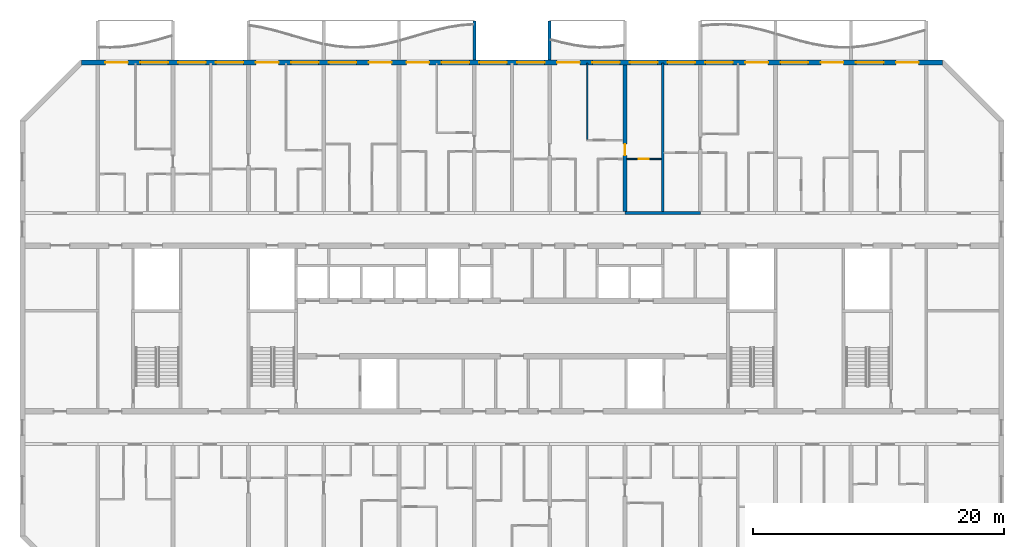
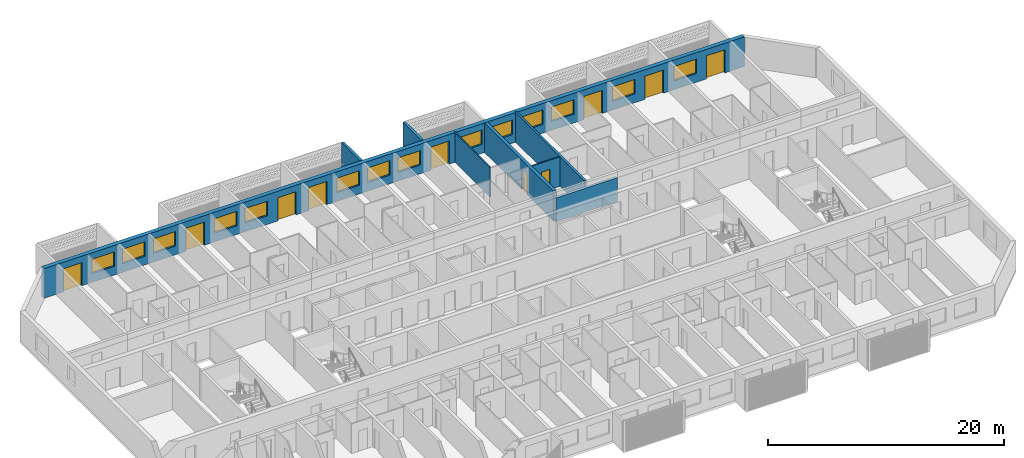
# One storey, part 11 of 33: 14 windows, 10 doors, 8 walls, 24 openings.
"""IFC4 building model written with IfcOpenShell, lengths in metres."""

from ifc_helpers import new_model, si_unit, direction, frame, frame_2d, origin, place, context, subcontext, project, spatial, polyline, rectangle, outline, extrude, source, transform, mapped, material, layer, layer_set, type_object, element, fill, save


model = new_model("IFC4")

# Units and contexts
model_context = context("Model", 3, precision=1e-05, world=origin(), true_north=direction((0.0, 1.0)))
body_context = subcontext(model_context, "Body", "Model", "MODEL_VIEW")
ifc_project = project(units=[si_unit("LENGTHUNIT", "METRE"), si_unit("AREAUNIT", "SQUARE_METRE"), si_unit("VOLUMEUNIT", "CUBIC_METRE"), si_unit("PLANEANGLEUNIT", "RADIAN"), si_unit("MASSUNIT", "GRAM", prefix="KILO")], contexts=[model_context])

# Site, building, storey
site_placement = place(None, origin())
site = spatial("IfcSite", under=ifc_project, at=site_placement, CompositionType="ELEMENT")
building_placement = place(site_placement, origin())
building = spatial("IfcBuilding", under=site, at=building_placement, Name="Poui Terraces", CompositionType="ELEMENT")
storey_placement = place(building_placement, frame((0.0, 0.0, 135.60009765625)))
storey = spatial("IfcBuildingStorey", under=building, at=storey_placement, Name="L37", CompositionType="ELEMENT", Elevation=135.60009765625)

# Wall
ifc_material_1 = material(Name="Concrete 65 MPa", Category="concrete")
ifc_layer_1 = layer(ifc_material_1, 0.25)
ifc_layer_set_1 = layer_set([ifc_layer_1], Name="Concrete 65 MPa")
wall_type_1 = type_object("IfcWallType", Name="CORRIDOR WALL 250 65MPa", PredefinedType="SHEAR", material=ifc_layer_set_1)
wall_1_placement = place(storey_placement, frame((60.0, 30.39990234375, 0.0), z_axis=(0.0, 0.0, 1.0), x_axis=(1.0, 0.0, 0.0)))
element("IfcWall", 1, at=wall_1_placement, inside=storey, type_object=wall_type_1, Name="CORRIDOR WALL LINE E BAY 9", PredefinedType="SHEAR", context=body_context, shape_type="SweptSolid", body=[
    extrude(rectangle(XDim=6.0, YDim=0.25, at=frame_2d((3.0, 0.0))), origin(), (0.0, 0.0, 1.0), 2.469970703125),
])

# Wall, opening, door
ifc_layer_2 = layer(ifc_material_1, 0.300048828125)
ifc_layer_set_2 = layer_set([ifc_layer_2], Name="Concrete 65 MPa")
wall_type_2 = type_object("IfcWallType", Name="CROSS WALL 300 65MPa", PredefinedType="SHEAR", material=ifc_layer_set_2)
wall_2_placement = place(storey_placement, frame((60.0, 30.52490234375, 0.0), z_axis=(0.0, 0.0, 1.0), x_axis=(0.0, 1.0, 0.0)))
wall_2 = element("IfcWall", 2, at=wall_2_placement, inside=storey, type_object=wall_type_2, Name="CROSS WALL LINE 11 NORTH", PredefinedType="SHEAR", context=body_context, shape_type="SweptSolid", body=[
    extrude(rectangle(XDim=11.675048828125, YDim=0.300048828125, at=frame_2d((5.83740234375, 0.0))), origin(), (0.0, 0.0, 1.0), 3.06982421875),
])
opening_1_placement = place(wall_2_placement, frame((4.47509765625, 0.0, 0.0)))
opening_1 = element("IfcOpeningElement", 3, at=opening_1_placement, cuts=wall_2, Name="Opening D90", PredefinedType="OPENING", context=body_context, shape_type="SweptSolid", body=[
    extrude(rectangle(XDim=0.89990234375, YDim=2.10009765625, at=frame_2d((0.449951171875, 1.050048828125))), frame((0.0, 0.16015625, 0.0), z_axis=(0.0, -1.0, 0.0), x_axis=(1.0, 0.0, 0.0)), (0.0, 0.0, 1.0), 0.320068359375),
])
ifc_material_2 = material(Name="Solid core timber door", Category="wood")
door_type_1 = type_object("IfcDoorType", Name="INTERNAL DOOR 900 X 2100", OperationType="NOTDEFINED", PredefinedType="DOOR", material=ifc_material_2)
door_1_placement = place(opening_1_placement, frame((0.89990234375, 0.0, 0.0), z_axis=(0.0, 0.0, 1.0), x_axis=(-1.0, 0.0, 0.0)))
door_1 = element("IfcDoor", 4, at=door_1_placement, inside=storey, type_object=door_type_1, Name="INTERNAL DOOR 060", OperationType="SINGLE_SWING_RIGHT", OverallHeight=2.10009765625, OverallWidth=0.89990234375, PredefinedType="DOOR", context=body_context, shape_type="SweptSolid", body=[
    extrude(rectangle(XDim=0.89990234375, YDim=2.10009765625, at=frame_2d((0.449951171875, 1.050048828125))), frame((0.0, 0.02490234375, 0.0), z_axis=(0.0, -1.0, 0.0), x_axis=(1.0, 0.0, 0.0)), (0.0, 0.0, 1.0), 0.050048828125),
])
fill(opening_1, door_1)

# Wall, openings, doors, windows
ifc_material_3 = material(Name="Precast concrete 40 MPa", Category="concrete")
ifc_layer_3 = layer(ifc_material_3, 0.39990234375)
ifc_layer_set_3 = layer_set([ifc_layer_3], Name="Precast concrete 40 MPa")
wall_type_3 = type_object("IfcWallType", Name="EXTERNAL WALL 400", PredefinedType="STANDARD", material=ifc_layer_set_3)
wall_3_placement = place(storey_placement, frame((85.317138671875, 42.39990234375, 0.0), z_axis=(0.0, 0.0, 1.0), x_axis=(-1.0, 0.0, 0.0)))
wall_3 = element("IfcWall", 5, at=wall_3_placement, inside=storey, type_object=wall_type_3, Name="EXTERNAL WALL N", PredefinedType="STANDARD", context=body_context, shape_type="SweptSolid", body=[
    extrude(rectangle(XDim=68.63427734375, YDim=0.39990234375, at=frame_2d((34.317138671875, 0.0))), origin(), (0.0, 0.0, 1.0), 3.06982421875),
])
opening_2_placement = place(wall_3_placement, frame((64.917236328125, 0.0, 0.0)))
opening_2 = element("IfcOpeningElement", 6, at=opening_2_placement, cuts=wall_3, Name="Opening BD1", PredefinedType="OPENING", context=body_context, shape_type="SweptSolid", body=[
    extrude(rectangle(XDim=1.800048828125, YDim=2.39990234375, at=frame_2d((0.89990234375, 1.199951171875))), frame((0.0, 0.2099609375, 0.0), z_axis=(0.0, -1.0, 0.0), x_axis=(1.0, 0.0, 0.0)), (0.0, 0.0, 1.0), 0.419921875),
])
opening_3_placement = place(wall_3_placement, frame((61.71728515625, 0.0, 0.89990234375)))
opening_3 = element("IfcOpeningElement", 7, at=opening_3_placement, cuts=wall_3, Name="Opening W1", PredefinedType="OPENING", context=body_context, shape_type="SweptSolid", body=[
    extrude(rectangle(XDim=2.199951171875, YDim=1.5, at=frame_2d((1.10009765625, 0.75))), frame((0.0, 0.2099609375, 0.0), z_axis=(0.0, -1.0, 0.0), x_axis=(1.0, 0.0, 0.0)), (0.0, 0.0, 1.0), 0.419921875),
])
opening_4_placement = place(wall_3_placement, frame((58.71728515625, 0.0, 0.89990234375)))
opening_4 = element("IfcOpeningElement", 8, at=opening_4_placement, cuts=wall_3, Name="Opening W1", PredefinedType="OPENING", context=body_context, shape_type="SweptSolid", body=[
    extrude(rectangle(XDim=2.199951171875, YDim=1.5, at=frame_2d((1.10009765625, 0.75))), frame((0.0, 0.2099609375, 0.0), z_axis=(0.0, -1.0, 0.0), x_axis=(1.0, 0.0, 0.0)), (0.0, 0.0, 1.0), 0.419921875),
])
opening_5_placement = place(wall_3_placement, frame((55.71728515625, 0.0, 0.89990234375)))
opening_5 = element("IfcOpeningElement", 9, at=opening_5_placement, cuts=wall_3, Name="Opening W1", PredefinedType="OPENING", context=body_context, shape_type="SweptSolid", body=[
    extrude(rectangle(XDim=2.199951171875, YDim=1.5, at=frame_2d((1.10009765625, 0.75))), frame((0.0, 0.2099609375, 0.0), z_axis=(0.0, -1.0, 0.0), x_axis=(1.0, 0.0, 0.0)), (0.0, 0.0, 1.0), 0.419921875),
])
opening_6_placement = place(wall_3_placement, frame((52.917236328125, 0.0, 0.0)))
opening_6 = element("IfcOpeningElement", 10, at=opening_6_placement, cuts=wall_3, Name="Opening BD1", PredefinedType="OPENING", context=body_context, shape_type="SweptSolid", body=[
    extrude(rectangle(XDim=1.800048828125, YDim=2.39990234375, at=frame_2d((0.89990234375, 1.199951171875))), frame((0.0, 0.2099609375, 0.0), z_axis=(0.0, -1.0, 0.0), x_axis=(1.0, 0.0, 0.0)), (0.0, 0.0, 1.0), 0.419921875),
])
opening_7_placement = place(wall_3_placement, frame((49.71728515625, 0.0, 0.89990234375)))
opening_7 = element("IfcOpeningElement", 11, at=opening_7_placement, cuts=wall_3, Name="Opening W1", PredefinedType="OPENING", context=body_context, shape_type="SweptSolid", body=[
    extrude(rectangle(XDim=2.199951171875, YDim=1.5, at=frame_2d((1.10009765625, 0.75))), frame((0.0, 0.2099609375, 0.0), z_axis=(0.0, -1.0, 0.0), x_axis=(1.0, 0.0, 0.0)), (0.0, 0.0, 1.0), 0.419921875),
])
opening_8_placement = place(wall_3_placement, frame((46.71728515625, 0.0, 0.89990234375)))
opening_8 = element("IfcOpeningElement", 12, at=opening_8_placement, cuts=wall_3, Name="Opening W1", PredefinedType="OPENING", context=body_context, shape_type="SweptSolid", body=[
    extrude(rectangle(XDim=2.199951171875, YDim=1.5, at=frame_2d((1.10009765625, 0.75))), frame((0.0, 0.2099609375, 0.0), z_axis=(0.0, -1.0, 0.0), x_axis=(1.0, 0.0, 0.0)), (0.0, 0.0, 1.0), 0.419921875),
])
opening_9_placement = place(wall_3_placement, frame((43.917236328125, 0.0, 0.0)))
opening_9 = element("IfcOpeningElement", 13, at=opening_9_placement, cuts=wall_3, Name="Opening BD1", PredefinedType="OPENING", context=body_context, shape_type="SweptSolid", body=[
    extrude(rectangle(XDim=1.800048828125, YDim=2.39990234375, at=frame_2d((0.89990234375, 1.199951171875))), frame((0.0, 0.2099609375, 0.0), z_axis=(0.0, -1.0, 0.0), x_axis=(1.0, 0.0, 0.0)), (0.0, 0.0, 1.0), 0.419921875),
])
opening_10_placement = place(wall_3_placement, frame((40.917236328125, 0.0, 0.0)))
opening_10 = element("IfcOpeningElement", 14, at=opening_10_placement, cuts=wall_3, Name="Opening BD1", PredefinedType="OPENING", context=body_context, shape_type="SweptSolid", body=[
    extrude(rectangle(XDim=1.800048828125, YDim=2.39990234375, at=frame_2d((0.89990234375, 1.199951171875))), frame((0.0, 0.2099609375, 0.0), z_axis=(0.0, -1.0, 0.0), x_axis=(1.0, 0.0, 0.0)), (0.0, 0.0, 1.0), 0.419921875),
])
opening_11_placement = place(wall_3_placement, frame((37.71728515625, 0.0, 0.89990234375)))
opening_11 = element("IfcOpeningElement", 15, at=opening_11_placement, cuts=wall_3, Name="Opening W1", PredefinedType="OPENING", context=body_context, shape_type="SweptSolid", body=[
    extrude(rectangle(XDim=2.199951171875, YDim=1.5, at=frame_2d((1.10009765625, 0.75))), frame((0.0, 0.2099609375, 0.0), z_axis=(0.0, -1.0, 0.0), x_axis=(1.0, 0.0, 0.0)), (0.0, 0.0, 1.0), 0.419921875),
])
opening_12_placement = place(wall_3_placement, frame((34.71728515625, 0.0, 0.89990234375)))
opening_12 = element("IfcOpeningElement", 16, at=opening_12_placement, cuts=wall_3, Name="Opening W1", PredefinedType="OPENING", context=body_context, shape_type="SweptSolid", body=[
    extrude(rectangle(XDim=2.199951171875, YDim=1.5, at=frame_2d((1.10009765625, 0.75))), frame((0.0, 0.2099609375, 0.0), z_axis=(0.0, -1.0, 0.0), x_axis=(1.0, 0.0, 0.0)), (0.0, 0.0, 1.0), 0.419921875),
])
opening_13_placement = place(wall_3_placement, frame((31.71728515625, 0.0, 0.89990234375)))
opening_13 = element("IfcOpeningElement", 17, at=opening_13_placement, cuts=wall_3, Name="Opening W1", PredefinedType="OPENING", context=body_context, shape_type="SweptSolid", body=[
    extrude(rectangle(XDim=2.199951171875, YDim=1.5, at=frame_2d((1.10009765625, 0.75))), frame((0.0, 0.2099609375, 0.0), z_axis=(0.0, -1.0, 0.0), x_axis=(1.0, 0.0, 0.0)), (0.0, 0.0, 1.0), 0.419921875),
])
opening_14_placement = place(wall_3_placement, frame((28.917236328125, 0.0, 0.0)))
opening_14 = element("IfcOpeningElement", 18, at=opening_14_placement, cuts=wall_3, Name="Opening BD1", PredefinedType="OPENING", context=body_context, shape_type="SweptSolid", body=[
    extrude(rectangle(XDim=1.800048828125, YDim=2.39990234375, at=frame_2d((0.89990234375, 1.199951171875))), frame((0.0, 0.2099609375, 0.0), z_axis=(0.0, -1.0, 0.0), x_axis=(1.0, 0.0, 0.0)), (0.0, 0.0, 1.0), 0.419921875),
])
opening_15_placement = place(wall_3_placement, frame((25.71728515625, 0.0, 0.89990234375)))
opening_15 = element("IfcOpeningElement", 19, at=opening_15_placement, cuts=wall_3, Name="Opening W1", PredefinedType="OPENING", context=body_context, shape_type="SweptSolid", body=[
    extrude(rectangle(XDim=2.199951171875, YDim=1.5, at=frame_2d((1.10009765625, 0.75))), frame((0.0, 0.2099609375, 0.0), z_axis=(0.0, -1.0, 0.0), x_axis=(1.0, 0.0, 0.0)), (0.0, 0.0, 1.0), 0.419921875),
])
opening_16_placement = place(wall_3_placement, frame((22.71728515625, 0.0, 0.89990234375)))
opening_16 = element("IfcOpeningElement", 20, at=opening_16_placement, cuts=wall_3, Name="Opening W1", PredefinedType="OPENING", context=body_context, shape_type="SweptSolid", body=[
    extrude(rectangle(XDim=2.199951171875, YDim=1.5, at=frame_2d((1.10009765625, 0.75))), frame((0.0, 0.2099609375, 0.0), z_axis=(0.0, -1.0, 0.0), x_axis=(1.0, 0.0, 0.0)), (0.0, 0.0, 1.0), 0.419921875),
])
opening_17_placement = place(wall_3_placement, frame((19.71728515625, 0.0, 0.89990234375)))
opening_17 = element("IfcOpeningElement", 21, at=opening_17_placement, cuts=wall_3, Name="Opening W1", PredefinedType="OPENING", context=body_context, shape_type="SweptSolid", body=[
    extrude(rectangle(XDim=2.199951171875, YDim=1.5, at=frame_2d((1.10009765625, 0.75))), frame((0.0, 0.2099609375, 0.0), z_axis=(0.0, -1.0, 0.0), x_axis=(1.0, 0.0, 0.0)), (0.0, 0.0, 1.0), 0.419921875),
])
opening_18_placement = place(wall_3_placement, frame((16.71728515625, 0.0, 0.89990234375)))
opening_18 = element("IfcOpeningElement", 22, at=opening_18_placement, cuts=wall_3, Name="Opening W1", PredefinedType="OPENING", context=body_context, shape_type="SweptSolid", body=[
    extrude(rectangle(XDim=2.199951171875, YDim=1.5, at=frame_2d((1.10009765625, 0.75))), frame((0.0, 0.2099609375, 0.0), z_axis=(0.0, -1.0, 0.0), x_axis=(1.0, 0.0, 0.0)), (0.0, 0.0, 1.0), 0.419921875),
])
opening_19_placement = place(wall_3_placement, frame((13.917236328125, 0.0, 0.0)))
opening_19 = element("IfcOpeningElement", 23, at=opening_19_placement, cuts=wall_3, Name="Opening BD1", PredefinedType="OPENING", context=body_context, shape_type="SweptSolid", body=[
    extrude(rectangle(XDim=1.800048828125, YDim=2.39990234375, at=frame_2d((0.89990234375, 1.199951171875))), frame((0.0, 0.2099609375, 0.0), z_axis=(0.0, -1.0, 0.0), x_axis=(1.0, 0.0, 0.0)), (0.0, 0.0, 1.0), 0.419921875),
])
opening_20_placement = place(wall_3_placement, frame((10.71728515625, 0.0, 0.89990234375)))
opening_20 = element("IfcOpeningElement", 24, at=opening_20_placement, cuts=wall_3, Name="Opening W1", PredefinedType="OPENING", context=body_context, shape_type="SweptSolid", body=[
    extrude(rectangle(XDim=2.199951171875, YDim=1.5, at=frame_2d((1.10009765625, 0.75))), frame((0.0, 0.2099609375, 0.0), z_axis=(0.0, -1.0, 0.0), x_axis=(1.0, 0.0, 0.0)), (0.0, 0.0, 1.0), 0.419921875),
])
opening_21_placement = place(wall_3_placement, frame((7.917236328125, 0.0, 0.0)))
opening_21 = element("IfcOpeningElement", 25, at=opening_21_placement, cuts=wall_3, Name="Opening BD1", PredefinedType="OPENING", context=body_context, shape_type="SweptSolid", body=[
    extrude(rectangle(XDim=1.800048828125, YDim=2.39990234375, at=frame_2d((0.89990234375, 1.199951171875))), frame((0.0, 0.2099609375, 0.0), z_axis=(0.0, -1.0, 0.0), x_axis=(1.0, 0.0, 0.0)), (0.0, 0.0, 1.0), 0.419921875),
])
opening_22_placement = place(wall_3_placement, frame((4.71728515625, 0.0, 0.89990234375)))
opening_22 = element("IfcOpeningElement", 26, at=opening_22_placement, cuts=wall_3, Name="Opening W1", PredefinedType="OPENING", context=body_context, shape_type="SweptSolid", body=[
    extrude(rectangle(XDim=2.199951171875, YDim=1.5, at=frame_2d((1.10009765625, 0.75))), frame((0.0, 0.2099609375, 0.0), z_axis=(0.0, -1.0, 0.0), x_axis=(1.0, 0.0, 0.0)), (0.0, 0.0, 1.0), 0.419921875),
])
opening_23_placement = place(wall_3_placement, frame((1.917236328125, 0.0, 0.0)))
opening_23 = element("IfcOpeningElement", 27, at=opening_23_placement, cuts=wall_3, Name="Opening BD1", PredefinedType="OPENING", context=body_context, shape_type="SweptSolid", body=[
    extrude(rectangle(XDim=1.800048828125, YDim=2.39990234375, at=frame_2d((0.89990234375, 1.199951171875))), frame((0.0, 0.2099609375, 0.0), z_axis=(0.0, -1.0, 0.0), x_axis=(1.0, 0.0, 0.0)), (0.0, 0.0, 1.0), 0.419921875),
])
ifc_material_4 = material(Name="Clear glass in aluminium frame", Category="aluminium")
door_type_2 = type_object("IfcDoorType", Name="BALCONY DOOR 1800X2400", OperationType="DOUBLE_DOOR_SLIDING", PredefinedType="DOOR", material=ifc_material_4)
door_2_placement = place(opening_2_placement, origin())
door_2 = element("IfcDoor", 28, at=door_2_placement, inside=storey, type_object=door_type_2, Name="BD1 BALCONY DOOR", OperationType="DOUBLE_DOOR_SLIDING", OverallHeight=2.39990234375, OverallWidth=1.800048828125, PredefinedType="DOOR", context=body_context, shape_type="SweptSolid", body=[
    extrude(rectangle(XDim=1.800048828125, YDim=2.39990234375, at=frame_2d((0.89990234375, 1.199951171875))), frame((0.0, 0.02490234375, 0.0), z_axis=(0.0, -1.0, 0.0), x_axis=(1.0, 0.0, 0.0)), (0.0, 0.0, 1.0), 0.050048828125),
])
fill(opening_2, door_2)
door_3_placement = place(opening_6_placement, origin())
door_3 = element("IfcDoor", 29, at=door_3_placement, inside=storey, type_object=door_type_2, Name="BD1 BALCONY DOOR", OperationType="DOUBLE_DOOR_SLIDING", OverallHeight=2.39990234375, OverallWidth=1.800048828125, PredefinedType="DOOR", context=body_context, shape_type="SweptSolid", body=[
    extrude(rectangle(XDim=1.800048828125, YDim=2.39990234375, at=frame_2d((0.89990234375, 1.199951171875))), frame((0.0, 0.02490234375, 0.0), z_axis=(0.0, -1.0, 0.0), x_axis=(1.0, 0.0, 0.0)), (0.0, 0.0, 1.0), 0.050048828125),
])
fill(opening_6, door_3)
door_4_placement = place(opening_9_placement, origin())
door_4 = element("IfcDoor", 30, at=door_4_placement, inside=storey, type_object=door_type_2, Name="BD1 BALCONY DOOR", OperationType="DOUBLE_DOOR_SLIDING", OverallHeight=2.39990234375, OverallWidth=1.800048828125, PredefinedType="DOOR", context=body_context, shape_type="SweptSolid", body=[
    extrude(rectangle(XDim=1.800048828125, YDim=2.39990234375, at=frame_2d((0.89990234375, 1.199951171875))), frame((0.0, 0.02490234375, 0.0), z_axis=(0.0, -1.0, 0.0), x_axis=(1.0, 0.0, 0.0)), (0.0, 0.0, 1.0), 0.050048828125),
])
fill(opening_9, door_4)
door_5_placement = place(opening_10_placement, origin())
door_5 = element("IfcDoor", 31, at=door_5_placement, inside=storey, type_object=door_type_2, Name="BD1 BALCONY DOOR", OperationType="DOUBLE_DOOR_SLIDING", OverallHeight=2.39990234375, OverallWidth=1.800048828125, PredefinedType="DOOR", context=body_context, shape_type="SweptSolid", body=[
    extrude(rectangle(XDim=1.800048828125, YDim=2.39990234375, at=frame_2d((0.89990234375, 1.199951171875))), frame((0.0, 0.02490234375, 0.0), z_axis=(0.0, -1.0, 0.0), x_axis=(1.0, 0.0, 0.0)), (0.0, 0.0, 1.0), 0.050048828125),
])
fill(opening_10, door_5)
door_6_placement = place(opening_14_placement, origin())
door_6 = element("IfcDoor", 32, at=door_6_placement, inside=storey, type_object=door_type_2, Name="BD1 BALCONY DOOR", OperationType="DOUBLE_DOOR_SLIDING", OverallHeight=2.39990234375, OverallWidth=1.800048828125, PredefinedType="DOOR", context=body_context, shape_type="SweptSolid", body=[
    extrude(rectangle(XDim=1.800048828125, YDim=2.39990234375, at=frame_2d((0.89990234375, 1.199951171875))), frame((0.0, 0.02490234375, 0.0), z_axis=(0.0, -1.0, 0.0), x_axis=(1.0, 0.0, 0.0)), (0.0, 0.0, 1.0), 0.050048828125),
])
fill(opening_14, door_6)
door_7_placement = place(opening_19_placement, origin())
door_7 = element("IfcDoor", 33, at=door_7_placement, inside=storey, type_object=door_type_2, Name="BD1 BALCONY DOOR", OperationType="DOUBLE_DOOR_SLIDING", OverallHeight=2.39990234375, OverallWidth=1.800048828125, PredefinedType="DOOR", context=body_context, shape_type="SweptSolid", body=[
    extrude(rectangle(XDim=1.800048828125, YDim=2.39990234375, at=frame_2d((0.89990234375, 1.199951171875))), frame((0.0, 0.02490234375, 0.0), z_axis=(0.0, -1.0, 0.0), x_axis=(1.0, 0.0, 0.0)), (0.0, 0.0, 1.0), 0.050048828125),
])
fill(opening_19, door_7)
door_8_placement = place(opening_21_placement, origin())
door_8 = element("IfcDoor", 34, at=door_8_placement, inside=storey, type_object=door_type_2, Name="BD1 BALCONY DOOR", OperationType="DOUBLE_DOOR_SLIDING", OverallHeight=2.39990234375, OverallWidth=1.800048828125, PredefinedType="DOOR", context=body_context, shape_type="SweptSolid", body=[
    extrude(rectangle(XDim=1.800048828125, YDim=2.39990234375, at=frame_2d((0.89990234375, 1.199951171875))), frame((0.0, 0.02490234375, 0.0), z_axis=(0.0, -1.0, 0.0), x_axis=(1.0, 0.0, 0.0)), (0.0, 0.0, 1.0), 0.050048828125),
])
fill(opening_21, door_8)
door_9_placement = place(opening_23_placement, origin())
door_9 = element("IfcDoor", 35, at=door_9_placement, inside=storey, type_object=door_type_2, Name="BD1 BALCONY DOOR", OperationType="DOUBLE_DOOR_SLIDING", OverallHeight=2.39990234375, OverallWidth=1.800048828125, PredefinedType="DOOR", context=body_context, shape_type="SweptSolid", body=[
    extrude(rectangle(XDim=1.800048828125, YDim=2.39990234375, at=frame_2d((0.89990234375, 1.199951171875))), frame((0.0, 0.02490234375, 0.0), z_axis=(0.0, -1.0, 0.0), x_axis=(1.0, 0.0, 0.0)), (0.0, 0.0, 1.0), 0.050048828125),
])
fill(opening_23, door_9)
window_type = type_object("IfcWindowType", Name="WINDOW 2200X1500", PartitioningType="DOUBLE_PANEL_HORIZONTAL", PredefinedType="WINDOW", material=ifc_material_4)
window_1_placement = place(opening_3_placement, origin())
window_1 = element("IfcWindow", 36, at=window_1_placement, inside=storey, type_object=window_type, Name="W1 WINDOW", OverallHeight=1.5, OverallWidth=2.199951171875, PartitioningType="DOUBLE_PANEL_HORIZONTAL", PredefinedType="WINDOW", context=body_context, shape_type="SweptSolid", body=[
    extrude(rectangle(XDim=2.199951171875, YDim=1.5, at=frame_2d((1.10009765625, 0.75))), frame((0.0, 0.030029296875, 0.0), z_axis=(0.0, -1.0, 0.0), x_axis=(1.0, 0.0, 0.0)), (0.0, 0.0, 1.0), 0.06005859375),
])
fill(opening_3, window_1)
window_2_placement = place(opening_4_placement, origin())
window_2 = element("IfcWindow", 37, at=window_2_placement, inside=storey, type_object=window_type, Name="W1 WINDOW", OverallHeight=1.5, OverallWidth=2.199951171875, PartitioningType="DOUBLE_PANEL_HORIZONTAL", PredefinedType="WINDOW", context=body_context, shape_type="SweptSolid", body=[
    extrude(rectangle(XDim=2.199951171875, YDim=1.5, at=frame_2d((1.10009765625, 0.75))), frame((0.0, 0.030029296875, 0.0), z_axis=(0.0, -1.0, 0.0), x_axis=(1.0, 0.0, 0.0)), (0.0, 0.0, 1.0), 0.06005859375),
])
fill(opening_4, window_2)
window_3_placement = place(opening_5_placement, origin())
window_3 = element("IfcWindow", 38, at=window_3_placement, inside=storey, type_object=window_type, Name="W1 WINDOW", OverallHeight=1.5, OverallWidth=2.199951171875, PartitioningType="DOUBLE_PANEL_HORIZONTAL", PredefinedType="WINDOW", context=body_context, shape_type="SweptSolid", body=[
    extrude(rectangle(XDim=2.199951171875, YDim=1.5, at=frame_2d((1.10009765625, 0.75))), frame((0.0, 0.030029296875, 0.0), z_axis=(0.0, -1.0, 0.0), x_axis=(1.0, 0.0, 0.0)), (0.0, 0.0, 1.0), 0.06005859375),
])
fill(opening_5, window_3)
window_4_placement = place(opening_7_placement, origin())
window_4 = element("IfcWindow", 39, at=window_4_placement, inside=storey, type_object=window_type, Name="W1 WINDOW", OverallHeight=1.5, OverallWidth=2.199951171875, PartitioningType="DOUBLE_PANEL_HORIZONTAL", PredefinedType="WINDOW", context=body_context, shape_type="SweptSolid", body=[
    extrude(rectangle(XDim=2.199951171875, YDim=1.5, at=frame_2d((1.10009765625, 0.75))), frame((0.0, 0.030029296875, 0.0), z_axis=(0.0, -1.0, 0.0), x_axis=(1.0, 0.0, 0.0)), (0.0, 0.0, 1.0), 0.06005859375),
])
fill(opening_7, window_4)
window_5_placement = place(opening_8_placement, origin())
window_5 = element("IfcWindow", 40, at=window_5_placement, inside=storey, type_object=window_type, Name="W1 WINDOW", OverallHeight=1.5, OverallWidth=2.199951171875, PartitioningType="DOUBLE_PANEL_HORIZONTAL", PredefinedType="WINDOW", context=body_context, shape_type="SweptSolid", body=[
    extrude(rectangle(XDim=2.199951171875, YDim=1.5, at=frame_2d((1.10009765625, 0.75))), frame((0.0, 0.030029296875, 0.0), z_axis=(0.0, -1.0, 0.0), x_axis=(1.0, 0.0, 0.0)), (0.0, 0.0, 1.0), 0.06005859375),
])
fill(opening_8, window_5)
window_6_placement = place(opening_11_placement, origin())
window_6 = element("IfcWindow", 41, at=window_6_placement, inside=storey, type_object=window_type, Name="W1 WINDOW", OverallHeight=1.5, OverallWidth=2.199951171875, PartitioningType="DOUBLE_PANEL_HORIZONTAL", PredefinedType="WINDOW", context=body_context, shape_type="SweptSolid", body=[
    extrude(rectangle(XDim=2.199951171875, YDim=1.5, at=frame_2d((1.10009765625, 0.75))), frame((0.0, 0.030029296875, 0.0), z_axis=(0.0, -1.0, 0.0), x_axis=(1.0, 0.0, 0.0)), (0.0, 0.0, 1.0), 0.06005859375),
])
fill(opening_11, window_6)
window_7_placement = place(opening_12_placement, origin())
window_7 = element("IfcWindow", 42, at=window_7_placement, inside=storey, type_object=window_type, Name="W1 WINDOW", OverallHeight=1.5, OverallWidth=2.199951171875, PartitioningType="DOUBLE_PANEL_HORIZONTAL", PredefinedType="WINDOW", context=body_context, shape_type="SweptSolid", body=[
    extrude(rectangle(XDim=2.199951171875, YDim=1.5, at=frame_2d((1.10009765625, 0.75))), frame((0.0, 0.030029296875, 0.0), z_axis=(0.0, -1.0, 0.0), x_axis=(1.0, 0.0, 0.0)), (0.0, 0.0, 1.0), 0.06005859375),
])
fill(opening_12, window_7)
window_8_placement = place(opening_13_placement, origin())
window_8 = element("IfcWindow", 43, at=window_8_placement, inside=storey, type_object=window_type, Name="W1 WINDOW", OverallHeight=1.5, OverallWidth=2.199951171875, PartitioningType="DOUBLE_PANEL_HORIZONTAL", PredefinedType="WINDOW", context=body_context, shape_type="SweptSolid", body=[
    extrude(rectangle(XDim=2.199951171875, YDim=1.5, at=frame_2d((1.10009765625, 0.75))), frame((0.0, 0.030029296875, 0.0), z_axis=(0.0, -1.0, 0.0), x_axis=(1.0, 0.0, 0.0)), (0.0, 0.0, 1.0), 0.06005859375),
])
fill(opening_13, window_8)
window_9_placement = place(opening_15_placement, origin())
window_9 = element("IfcWindow", 44, at=window_9_placement, inside=storey, type_object=window_type, Name="W1 WINDOW", OverallHeight=1.5, OverallWidth=2.199951171875, PartitioningType="DOUBLE_PANEL_HORIZONTAL", PredefinedType="WINDOW", context=body_context, shape_type="SweptSolid", body=[
    extrude(rectangle(XDim=2.199951171875, YDim=1.5, at=frame_2d((1.10009765625, 0.75))), frame((0.0, 0.030029296875, 0.0), z_axis=(0.0, -1.0, 0.0), x_axis=(1.0, 0.0, 0.0)), (0.0, 0.0, 1.0), 0.06005859375),
])
fill(opening_15, window_9)
window_10_placement = place(opening_16_placement, origin())
window_10 = element("IfcWindow", 45, at=window_10_placement, inside=storey, type_object=window_type, Name="W1 WINDOW", OverallHeight=1.5, OverallWidth=2.199951171875, PartitioningType="DOUBLE_PANEL_HORIZONTAL", PredefinedType="WINDOW", context=body_context, shape_type="SweptSolid", body=[
    extrude(rectangle(XDim=2.199951171875, YDim=1.5, at=frame_2d((1.10009765625, 0.75))), frame((0.0, 0.030029296875, 0.0), z_axis=(0.0, -1.0, 0.0), x_axis=(1.0, 0.0, 0.0)), (0.0, 0.0, 1.0), 0.06005859375),
])
fill(opening_16, window_10)
window_11_placement = place(opening_17_placement, origin())
window_11 = element("IfcWindow", 46, at=window_11_placement, inside=storey, type_object=window_type, Name="W1 WINDOW", OverallHeight=1.5, OverallWidth=2.199951171875, PartitioningType="DOUBLE_PANEL_HORIZONTAL", PredefinedType="WINDOW", context=body_context, shape_type="SweptSolid", body=[
    extrude(rectangle(XDim=2.199951171875, YDim=1.5, at=frame_2d((1.10009765625, 0.75))), frame((0.0, 0.030029296875, 0.0), z_axis=(0.0, -1.0, 0.0), x_axis=(1.0, 0.0, 0.0)), (0.0, 0.0, 1.0), 0.06005859375),
])
fill(opening_17, window_11)
window_12_placement = place(opening_18_placement, origin())
window_12 = element("IfcWindow", 47, at=window_12_placement, inside=storey, type_object=window_type, Name="W1 WINDOW", OverallHeight=1.5, OverallWidth=2.199951171875, PartitioningType="DOUBLE_PANEL_HORIZONTAL", PredefinedType="WINDOW", context=body_context, shape_type="SweptSolid", body=[
    extrude(rectangle(XDim=2.199951171875, YDim=1.5, at=frame_2d((1.10009765625, 0.75))), frame((0.0, 0.030029296875, 0.0), z_axis=(0.0, -1.0, 0.0), x_axis=(1.0, 0.0, 0.0)), (0.0, 0.0, 1.0), 0.06005859375),
])
fill(opening_18, window_12)
window_13_placement = place(opening_20_placement, origin())
window_13 = element("IfcWindow", 48, at=window_13_placement, inside=storey, type_object=window_type, Name="W1 WINDOW", OverallHeight=1.5, OverallWidth=2.199951171875, PartitioningType="DOUBLE_PANEL_HORIZONTAL", PredefinedType="WINDOW", context=body_context, shape_type="SweptSolid", body=[
    extrude(rectangle(XDim=2.199951171875, YDim=1.5, at=frame_2d((1.10009765625, 0.75))), frame((0.0, 0.030029296875, 0.0), z_axis=(0.0, -1.0, 0.0), x_axis=(1.0, 0.0, 0.0)), (0.0, 0.0, 1.0), 0.06005859375),
])
fill(opening_20, window_13)
window_14_placement = place(opening_22_placement, origin())
window_14 = element("IfcWindow", 49, at=window_14_placement, inside=storey, type_object=window_type, Name="W1 WINDOW", OverallHeight=1.5, OverallWidth=2.199951171875, PartitioningType="DOUBLE_PANEL_HORIZONTAL", PredefinedType="WINDOW", context=body_context, shape_type="SweptSolid", body=[
    extrude(rectangle(XDim=2.199951171875, YDim=1.5, at=frame_2d((1.10009765625, 0.75))), frame((0.0, 0.030029296875, 0.0), z_axis=(0.0, -1.0, 0.0), x_axis=(1.0, 0.0, 0.0)), (0.0, 0.0, 1.0), 0.06005859375),
])
fill(opening_22, window_14)

# Wall, opening, door
ifc_material_5 = material(Name="Plasterboard partition")
ifc_layer_4 = layer(ifc_material_5, 0.10009765625)
ifc_layer_set_4 = layer_set([ifc_layer_4], Name="Plasterboard partition")
wall_type_4 = type_object("IfcWallType", Name="FLAT PARTITION 100", PredefinedType="PARTITIONING", material=ifc_layer_set_4)
wall_4_placement = place(storey_placement, frame((60.159912109375, 34.699951171875, 0.0), z_axis=(0.0, 0.0, 1.0), x_axis=(1.0, 0.0, 0.0)))
wall_4 = element("IfcWall", 50, at=wall_4_placement, inside=storey, type_object=wall_type_4, Name="FLAT PARTITION 100", PredefinedType="PARTITIONING", context=body_context, shape_type="SweptSolid", body=[
    extrude(rectangle(XDim=2.739990234375, YDim=0.10009765625, at=frame_2d((1.3701171875, 0.0))), origin(), (0.0, 0.0, 1.0), 3.06982421875),
])
opening_24_placement = place(wall_4_placement, frame((0.93994140625, 0.0, 0.0)))
opening_24 = element("IfcOpeningElement", 51, at=opening_24_placement, cuts=wall_4, Name="Opening D80", PredefinedType="OPENING", context=body_context, shape_type="SweptSolid", body=[
    extrude(rectangle(XDim=0.800048828125, YDim=2.10009765625, at=frame_2d((0.39990234375, 1.050048828125))), frame((0.0, 0.06005859375, 0.0), z_axis=(0.0, -1.0, 0.0), x_axis=(1.0, 0.0, 0.0)), (0.0, 0.0, 1.0), 0.1201171875),
])
door_type_3 = type_object("IfcDoorType", Name="BATHROOM, LAUNDRY AND STORE DOOR 800 X 2100", OperationType="NOTDEFINED", PredefinedType="DOOR", material=ifc_material_2)
door_10_placement = place(opening_24_placement, frame((0.800048828125, 0.0, 0.0), z_axis=(0.0, 0.0, 1.0), x_axis=(-1.0, 0.0, 0.0)))
door_10 = element("IfcDoor", 52, at=door_10_placement, inside=storey, type_object=door_type_3, Name="BATHROOM, LAUNDRY AND STORE DOOR 054", OperationType="SINGLE_SWING_LEFT", OverallHeight=2.10009765625, OverallWidth=0.800048828125, PredefinedType="DOOR", context=body_context, shape_type="SweptSolid", body=[
    extrude(rectangle(XDim=0.800048828125, YDim=2.10009765625, at=frame_2d((0.39990234375, 1.050048828125))), frame((0.0, 0.02490234375, 0.0), z_axis=(0.0, -1.0, 0.0), x_axis=(1.0, 0.0, 0.0)), (0.0, 0.0, 1.0), 0.050048828125),
])
fill(opening_24, door_10)

# Walls
wall_5_placement = place(storey_placement, frame((57.0, 36.25, 0.0), z_axis=(0.0, 0.0, 1.0), x_axis=(0.0, 1.0, 0.0)))
element("IfcWall", 53, at=wall_5_placement, inside=storey, type_object=wall_type_4, Name="FLAT PARTITION 100", PredefinedType="PARTITIONING", context=body_context, shape_type="SweptSolid", body=[
    extrude(rectangle(XDim=6.090087890625, YDim=0.10009765625, at=frame_2d((3.044921875, 0.0))), origin(), (0.0, 0.0, 1.0), 3.06982421875),
])
ifc_material_6 = material(Name="Fire-rated masonry wall", Category="masonry")
ifc_layer_5 = layer(ifc_material_6, 0.199951171875)
ifc_layer_set_5 = layer_set([ifc_layer_5], Name="Fire-rated masonry wall")
wall_type_5 = type_object("IfcWallType", Name="FLAT PARTY WALL 200", PredefinedType="PARTITIONING", material=ifc_layer_set_5)
wall_6_placement = place(storey_placement, frame((63.0, 30.534912109375, 0.0), z_axis=(0.0, 0.0, 1.0), x_axis=(0.0, 1.0, 0.0)))
element("IfcWall", 54, at=wall_6_placement, inside=storey, type_object=wall_type_5, Name="FLAT PARTY WALL 200", PredefinedType="PARTITIONING", context=body_context, shape_type="SweptSolid", body=[
    extrude(rectangle(XDim=11.80517578125, YDim=0.199951171875, at=frame_2d((5.902587890625, 0.0))), origin(), (0.0, 0.0, 1.0), 3.06982421875),
])
ifc_layer_6 = layer(ifc_material_3, 0.25)
ifc_layer_set_6 = layer_set([ifc_layer_6], Name="Precast concrete 40 MPa")
wall_type_6 = type_object("IfcWallType", Name="BALCONY FIN 250", PredefinedType="STANDARD", material=ifc_layer_set_6)
shared_shape = source(origin(), body_context, "Body", "SweptSolid", [
    extrude(outline(polyline([(0.0, 0.0), (0.25, 0.0), (0.25, 3.099853515625), (0.0, 3.099853515625), (0.0, 0.0)])), origin(), (0.0, 0.0, 1.0), 3.099853515625),
])
for number, where, name in (
    (55, (47.875, 42.60009765625, 0.0), "BALCONY FIN"),
    (56, (53.875, 42.60009765625, 0.0), "BALCONY FIN"),
):
    element("IfcWall", number, at=place(storey_placement, frame(where)), inside=storey, type_object=wall_type_6, Name=name, PredefinedType="STANDARD", context=body_context, shape_type="MappedRepresentation", body=[
        mapped(shared_shape, transform((0.0, 0.0, 0.0))),
    ])

save(model, "model.ifc")
